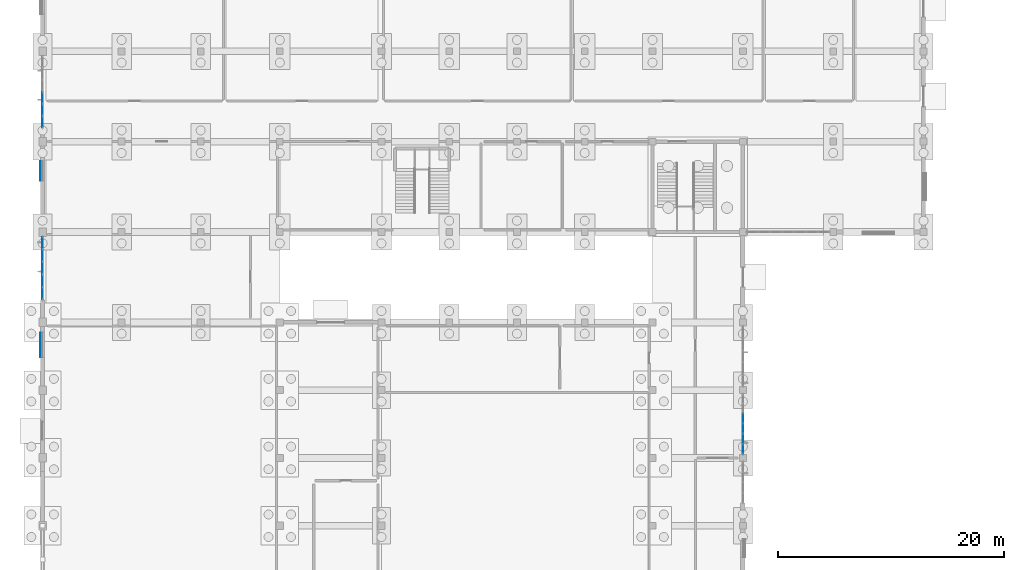
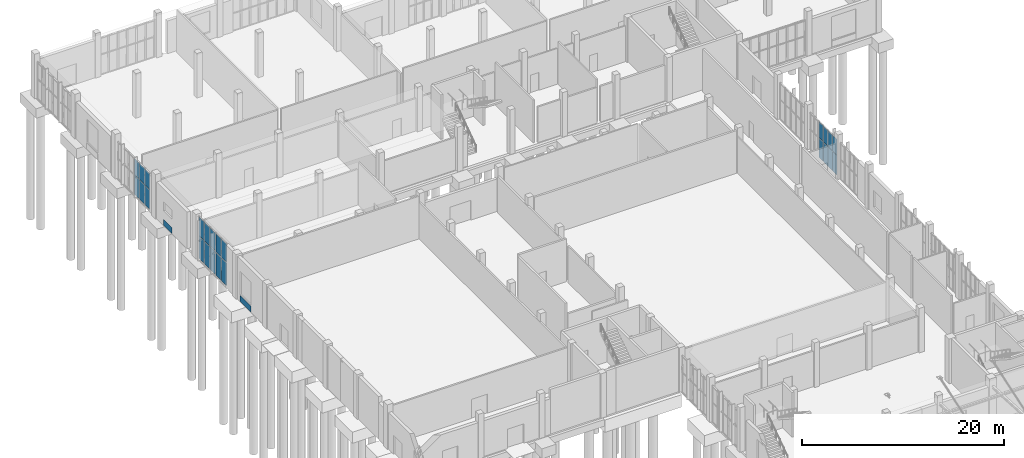
# One storey, part 35 of 69: 26 plates, 3 elements without a shape of their own.
"""IFC4 building model written with IfcOpenShell, lengths in metres."""

from ifc_helpers import new_model, si_unit, direction, frame, origin, origin_2d, place, context, subcontext, project, spatial, rectangle, extrude, material, layer, layer_set, type_object, element, aggregate, save


model = new_model("IFC4")

# Units and contexts
model_context = context("Model", 3, precision=1e-05, world=origin(), true_north=direction((0.0, 1.0)))
body_context = subcontext(model_context, "Body", "Model", "MODEL_VIEW")
ifc_project = project(units=[si_unit("LENGTHUNIT", "METRE"), si_unit("AREAUNIT", "SQUARE_METRE"), si_unit("VOLUMEUNIT", "CUBIC_METRE"), si_unit("PLANEANGLEUNIT", "RADIAN"), si_unit("MASSUNIT", "GRAM", prefix="KILO")], contexts=[model_context])

# Site, building, storey
site_placement = place(None, origin())
site = spatial("IfcSite", under=ifc_project, at=site_placement, CompositionType="ELEMENT")
building_placement = place(site_placement, origin())
building = spatial("IfcBuilding", under=site, at=building_placement, Name="Solvane Community Centre", CompositionType="ELEMENT")
storey_placement = place(building_placement, origin())
storey = spatial("IfcBuildingStorey", under=building, at=storey_placement, Name="L00", CompositionType="ELEMENT", Elevation=0.0)

# Plates
ifc_material_1 = material(Name="Anodised bronze aluminium AW-6063 T6", Category="aluminium")
ifc_layer_1 = layer(ifc_material_1, 0.02392578125)
ifc_layer_set_1 = layer_set([ifc_layer_1], Name="Anodised bronze aluminium AW-6063 T6")
plate_type_1 = type_object("IfcPlateType", Name="Bronze Spandrel Cassette 24mm", PredefinedType="SHEET", material=ifc_layer_set_1)
plate_1_placement = place(storey_placement, frame((5.798095703125, 76.0, 0.06005859375), z_axis=(0.0, 0.0, 1.0), x_axis=(0.0, 1.0, 0.0)))
element("IfcPlate", 1, at=plate_1_placement, inside=storey, type_object=plate_type_1, Name="Art Deco Spandrel SPC-L00-005", PredefinedType="SHEET", context=body_context, shape_type="SweptSolid", body=[
    extrude(rectangle(XDim=2.199951171875, YDim=0.02392578125, at=origin_2d()), origin(), (0.0, 0.0, 1.0), 0.719970703125),
])
plate_2_placement = place(storey_placement, frame((5.798095703125, 91.39990234375, 0.06005859375), z_axis=(0.0, 0.0, 1.0), x_axis=(0.0, 1.0, 0.0)))
element("IfcPlate", 2, at=plate_2_placement, inside=storey, type_object=plate_type_1, Name="Art Deco Spandrel SPC-L00-006", PredefinedType="SHEET", context=body_context, shape_type="SweptSolid", body=[
    extrude(rectangle(XDim=1.699951171875, YDim=0.02392578125, at=origin_2d()), origin(), (0.0, 0.0, 1.0), 0.719970703125),
])

# Curtain wall, plates
ifc_layer_2 = layer(ifc_material_1, 0.18994140625)
ifc_layer_set_2 = layer_set([ifc_layer_2], Name="Anodised bronze aluminium AW-6063 T6")
curtain_wall_type_1 = type_object("IfcCurtainWallType", Name="Boulevard Bronze Vision Curtain Wall [37x44dm]", PredefinedType="NOTDEFINED", material=ifc_layer_set_2)
curtain_wall_1_placement = place(storey_placement, origin())
curtain_wall_1 = element("IfcCurtainWall", 3, at=curtain_wall_1_placement, inside=storey, type_object=curtain_wall_type_1, Name="Curtain Wall CW-L00-680_700-017", PredefinedType="NOTDEFINED")
ifc_material_2 = material(Name="Tempered low-E double glazing", Category="glass")
ifc_layer_3 = layer(ifc_material_2, 0.028076171875)
ifc_layer_set_3 = layer_set([ifc_layer_3], Name="Tempered low-E double glazing")
plate_type_2 = type_object("IfcPlateType", Name="Low-E Vision Glazing Panel 28mm [37x44dm]", PredefinedType="CURTAIN_PANEL", material=ifc_layer_set_3)
plate_3_placement = place(storey_placement, frame((68.0, 69.52490234375, 0.06005859375), z_axis=(0.0, 0.0, 1.0), x_axis=(0.0, -1.0, 0.0)))
plate_3 = element("IfcPlate", 4, at=plate_3_placement, type_object=plate_type_2, Name="CW02-37x44 panel 1.1", PredefinedType="CURTAIN_PANEL", context=body_context, shape_type="SweptSolid", body=[
    extrude(rectangle(XDim=0.830078125, YDim=0.028076171875, at=origin_2d()), origin(), (0.0, 0.0, 1.0), 2.343994140625),
])
plate_4_placement = place(storey_placement, frame((68.0, 69.52490234375, 2.464111328125), z_axis=(0.0, 0.0, 1.0), x_axis=(0.0, -1.0, 0.0)))
plate_4 = element("IfcPlate", 5, at=plate_4_placement, type_object=plate_type_2, Name="CW02-37x44 panel 1.2", PredefinedType="CURTAIN_PANEL", context=body_context, shape_type="SweptSolid", body=[
    extrude(rectangle(XDim=0.830078125, YDim=0.028076171875, at=origin_2d()), origin(), (0.0, 0.0, 1.0), 1.90087890625),
])
plate_5_placement = place(storey_placement, frame((68.0, 68.6201171875, 0.06005859375), z_axis=(0.0, 0.0, 1.0), x_axis=(0.0, -1.0, 0.0)))
plate_5 = element("IfcPlate", 6, at=plate_5_placement, type_object=plate_type_2, Name="CW02-37x44 panel 2.1", PredefinedType="CURTAIN_PANEL", context=body_context, shape_type="SweptSolid", body=[
    extrude(rectangle(XDim=0.860107421875, YDim=0.028076171875, at=origin_2d()), origin(), (0.0, 0.0, 1.0), 2.343994140625),
])
plate_6_placement = place(storey_placement, frame((68.0, 68.6201171875, 2.464111328125), z_axis=(0.0, 0.0, 1.0), x_axis=(0.0, -1.0, 0.0)))
plate_6 = element("IfcPlate", 7, at=plate_6_placement, type_object=plate_type_2, Name="CW02-37x44 panel 2.2", PredefinedType="CURTAIN_PANEL", context=body_context, shape_type="SweptSolid", body=[
    extrude(rectangle(XDim=0.860107421875, YDim=0.028076171875, at=origin_2d()), origin(), (0.0, 0.0, 1.0), 1.90087890625),
])
plate_7_placement = place(storey_placement, frame((68.0, 67.699951171875, 0.06005859375), z_axis=(0.0, 0.0, 1.0), x_axis=(0.0, -1.0, 0.0)))
plate_7 = element("IfcPlate", 8, at=plate_7_placement, type_object=plate_type_2, Name="CW02-37x44 panel 3.1", PredefinedType="CURTAIN_PANEL", context=body_context, shape_type="SweptSolid", body=[
    extrude(rectangle(XDim=0.860107421875, YDim=0.028076171875, at=origin_2d()), origin(), (0.0, 0.0, 1.0), 2.343994140625),
])
plate_8_placement = place(storey_placement, frame((68.0, 67.699951171875, 2.464111328125), z_axis=(0.0, 0.0, 1.0), x_axis=(0.0, -1.0, 0.0)))
plate_8 = element("IfcPlate", 9, at=plate_8_placement, type_object=plate_type_2, Name="CW02-37x44 panel 3.2", PredefinedType="CURTAIN_PANEL", context=body_context, shape_type="SweptSolid", body=[
    extrude(rectangle(XDim=0.860107421875, YDim=0.028076171875, at=origin_2d()), origin(), (0.0, 0.0, 1.0), 1.90087890625),
])
plate_9_placement = place(storey_placement, frame((68.0, 66.794921875, 0.06005859375), z_axis=(0.0, 0.0, 1.0), x_axis=(0.0, -1.0, 0.0)))
plate_9 = element("IfcPlate", 10, at=plate_9_placement, type_object=plate_type_2, Name="CW02-37x44 panel 4.1", PredefinedType="CURTAIN_PANEL", context=body_context, shape_type="SweptSolid", body=[
    extrude(rectangle(XDim=0.830078125, YDim=0.028076171875, at=origin_2d()), origin(), (0.0, 0.0, 1.0), 2.343994140625),
])
plate_10_placement = place(storey_placement, frame((68.0, 66.794921875, 2.464111328125), z_axis=(0.0, 0.0, 1.0), x_axis=(0.0, -1.0, 0.0)))
plate_10 = element("IfcPlate", 11, at=plate_10_placement, type_object=plate_type_2, Name="CW02-37x44 panel 4.2", PredefinedType="CURTAIN_PANEL", context=body_context, shape_type="SweptSolid", body=[
    extrude(rectangle(XDim=0.830078125, YDim=0.028076171875, at=origin_2d()), origin(), (0.0, 0.0, 1.0), 1.90087890625),
])
aggregate(curtain_wall_1, [plate_3, plate_4, plate_5, plate_6, plate_7, plate_8, plate_9, plate_10])

ifc_layer_4 = layer(ifc_material_1, 0.18994140625)
ifc_layer_set_4 = layer_set([ifc_layer_4], Name="Anodised bronze aluminium AW-6063 T6")
curtain_wall_type_2 = type_object("IfcCurtainWallType", Name="Boulevard Bronze Vision Curtain Wall [56x52dm]", PredefinedType="NOTDEFINED", material=ifc_layer_set_4)
curtain_wall_2_placement = place(storey_placement, origin())
curtain_wall_2 = element("IfcCurtainWall", 12, at=curtain_wall_2_placement, inside=storey, type_object=curtain_wall_type_2, Name="Curtain Wall CW-L00-60_800-005", PredefinedType="NOTDEFINED")
ifc_layer_5 = layer(ifc_material_2, 0.028076171875)
ifc_layer_set_5 = layer_set([ifc_layer_5], Name="Tempered low-E double glazing")
plate_type_3 = type_object("IfcPlateType", Name="Low-E Vision Glazing Panel 28mm [56x52dm]", PredefinedType="CURTAIN_PANEL", material=ifc_layer_set_5)
plate_11_placement = place(storey_placement, frame((6.0, 80.575927734375, 0.06005859375), z_axis=(0.0, 0.0, 1.0), x_axis=(0.0, 1.0, 0.0)))
plate_11 = element("IfcPlate", 13, at=plate_11_placement, type_object=plate_type_3, Name="CW02-56x52 panel 1.1", PredefinedType="CURTAIN_PANEL", context=body_context, shape_type="SweptSolid", body=[
    extrude(rectangle(XDim=1.031982421875, YDim=0.028076171875, at=origin_2d()), origin(), (0.0, 0.0, 1.0), 2.748046875),
])
plate_12_placement = place(storey_placement, frame((6.0, 80.575927734375, 2.867919921875), z_axis=(0.0, 0.0, 1.0), x_axis=(0.0, 1.0, 0.0)))
plate_12 = element("IfcPlate", 14, at=plate_12_placement, type_object=plate_type_3, Name="CW02-56x52 panel 1.2", PredefinedType="CURTAIN_PANEL", context=body_context, shape_type="SweptSolid", body=[
    extrude(rectangle(XDim=1.031982421875, YDim=0.028076171875, at=origin_2d()), origin(), (0.0, 0.0, 1.0), 2.23193359375),
])
plate_13_placement = place(storey_placement, frame((6.0, 81.68310546875, 0.06005859375), z_axis=(0.0, 0.0, 1.0), x_axis=(0.0, 1.0, 0.0)))
plate_13 = element("IfcPlate", 15, at=plate_13_placement, type_object=plate_type_3, Name="CW02-56x52 panel 2.1", PredefinedType="CURTAIN_PANEL", context=body_context, shape_type="SweptSolid", body=[
    extrude(rectangle(XDim=1.06201171875, YDim=0.028076171875, at=origin_2d()), origin(), (0.0, 0.0, 1.0), 2.748046875),
])
plate_14_placement = place(storey_placement, frame((6.0, 81.68310546875, 2.867919921875), z_axis=(0.0, 0.0, 1.0), x_axis=(0.0, 1.0, 0.0)))
plate_14 = element("IfcPlate", 16, at=plate_14_placement, type_object=plate_type_3, Name="CW02-56x52 panel 2.2", PredefinedType="CURTAIN_PANEL", context=body_context, shape_type="SweptSolid", body=[
    extrude(rectangle(XDim=1.06201171875, YDim=0.028076171875, at=origin_2d()), origin(), (0.0, 0.0, 1.0), 2.23193359375),
])
plate_15_placement = place(storey_placement, frame((6.0, 82.804931640625, 0.06005859375), z_axis=(0.0, 0.0, 1.0), x_axis=(0.0, 1.0, 0.0)))
plate_15 = element("IfcPlate", 17, at=plate_15_placement, type_object=plate_type_3, Name="CW02-56x52 panel 3.1", PredefinedType="CURTAIN_PANEL", context=body_context, shape_type="SweptSolid", body=[
    extrude(rectangle(XDim=1.06201171875, YDim=0.028076171875, at=origin_2d()), origin(), (0.0, 0.0, 1.0), 2.748046875),
])
plate_16_placement = place(storey_placement, frame((6.0, 82.804931640625, 2.867919921875), z_axis=(0.0, 0.0, 1.0), x_axis=(0.0, 1.0, 0.0)))
plate_16 = element("IfcPlate", 18, at=plate_16_placement, type_object=plate_type_3, Name="CW02-56x52 panel 3.2", PredefinedType="CURTAIN_PANEL", context=body_context, shape_type="SweptSolid", body=[
    extrude(rectangle(XDim=1.06201171875, YDim=0.028076171875, at=origin_2d()), origin(), (0.0, 0.0, 1.0), 2.23193359375),
])
plate_17_placement = place(storey_placement, frame((6.0, 83.927001953125, 0.06005859375), z_axis=(0.0, 0.0, 1.0), x_axis=(0.0, 1.0, 0.0)))
plate_17 = element("IfcPlate", 19, at=plate_17_placement, type_object=plate_type_3, Name="CW02-56x52 panel 4.1", PredefinedType="CURTAIN_PANEL", context=body_context, shape_type="SweptSolid", body=[
    extrude(rectangle(XDim=1.06201171875, YDim=0.028076171875, at=origin_2d()), origin(), (0.0, 0.0, 1.0), 2.748046875),
])
plate_18_placement = place(storey_placement, frame((6.0, 83.927001953125, 2.867919921875), z_axis=(0.0, 0.0, 1.0), x_axis=(0.0, 1.0, 0.0)))
plate_18 = element("IfcPlate", 20, at=plate_18_placement, type_object=plate_type_3, Name="CW02-56x52 panel 4.2", PredefinedType="CURTAIN_PANEL", context=body_context, shape_type="SweptSolid", body=[
    extrude(rectangle(XDim=1.06201171875, YDim=0.028076171875, at=origin_2d()), origin(), (0.0, 0.0, 1.0), 2.23193359375),
])
plate_19_placement = place(storey_placement, frame((6.0, 85.033935546875, 0.06005859375), z_axis=(0.0, 0.0, 1.0), x_axis=(0.0, 1.0, 0.0)))
plate_19 = element("IfcPlate", 21, at=plate_19_placement, type_object=plate_type_3, Name="CW02-56x52 panel 5.1", PredefinedType="CURTAIN_PANEL", context=body_context, shape_type="SweptSolid", body=[
    extrude(rectangle(XDim=1.031982421875, YDim=0.028076171875, at=origin_2d()), origin(), (0.0, 0.0, 1.0), 2.748046875),
])
plate_20_placement = place(storey_placement, frame((6.0, 85.033935546875, 2.867919921875), z_axis=(0.0, 0.0, 1.0), x_axis=(0.0, 1.0, 0.0)))
plate_20 = element("IfcPlate", 22, at=plate_20_placement, type_object=plate_type_3, Name="CW02-56x52 panel 5.2", PredefinedType="CURTAIN_PANEL", context=body_context, shape_type="SweptSolid", body=[
    extrude(rectangle(XDim=1.031982421875, YDim=0.028076171875, at=origin_2d()), origin(), (0.0, 0.0, 1.0), 2.23193359375),
])
aggregate(curtain_wall_2, [plate_11, plate_12, plate_13, plate_14, plate_15, plate_16, plate_17, plate_18, plate_19, plate_20])

ifc_layer_6 = layer(ifc_material_1, 0.18994140625)
ifc_layer_set_6 = layer_set([ifc_layer_6], Name="Anodised bronze aluminium AW-6063 T6")
curtain_wall_type_3 = type_object("IfcCurtainWallType", Name="Boulevard Bronze Vision Curtain Wall [64x44dm]", PredefinedType="NOTDEFINED", material=ifc_layer_set_6)
curtain_wall_3_placement = place(storey_placement, origin())
curtain_wall_3 = element("IfcCurtainWall", 23, at=curtain_wall_3_placement, inside=storey, type_object=curtain_wall_type_3, Name="Curtain Wall CW-L00-60_952-006", PredefinedType="NOTDEFINED")
ifc_layer_7 = layer(ifc_material_2, 0.028076171875)
ifc_layer_set_7 = layer_set([ifc_layer_7], Name="Tempered low-E double glazing")
plate_type_4 = type_object("IfcPlateType", Name="Low-E Vision Glazing Panel 28mm [64x44dm]", PredefinedType="CURTAIN_PANEL", material=ifc_layer_set_7)
plate_21_placement = place(storey_placement, frame((6.0, 95.749267578125, 0.06005859375), z_axis=(0.0, 0.0, 1.0), x_axis=(0.0, 1.0, 0.0)))
plate_21 = element("IfcPlate", 24, at=plate_21_placement, type_object=plate_type_4, Name="CW02-64x44 panel 1.1", PredefinedType="CURTAIN_PANEL", context=body_context, shape_type="SweptSolid", body=[
    extrude(rectangle(XDim=0.978271484375, YDim=0.028076171875, at=origin_2d()), origin(), (0.0, 0.0, 1.0), 2.35498046875),
])
plate_22_placement = place(storey_placement, frame((6.0, 95.749267578125, 2.47509765625), z_axis=(0.0, 0.0, 1.0), x_axis=(0.0, 1.0, 0.0)))
plate_22 = element("IfcPlate", 25, at=plate_22_placement, type_object=plate_type_4, Name="CW02-64x44 panel 1.2", PredefinedType="CURTAIN_PANEL", context=body_context, shape_type="SweptSolid", body=[
    extrude(rectangle(XDim=0.978271484375, YDim=0.028076171875, at=origin_2d()), origin(), (0.0, 0.0, 1.0), 1.909912109375),
])
plate_23_placement = place(storey_placement, frame((6.0, 96.802490234375, 0.06005859375), z_axis=(0.0, 0.0, 1.0), x_axis=(0.0, 1.0, 0.0)))
plate_23 = element("IfcPlate", 26, at=plate_23_placement, type_object=plate_type_4, Name="CW02-64x44 panel 2.1", PredefinedType="CURTAIN_PANEL", context=body_context, shape_type="SweptSolid", body=[
    extrude(rectangle(XDim=1.00830078125, YDim=0.028076171875, at=origin_2d()), origin(), (0.0, 0.0, 1.0), 2.35498046875),
])
plate_24_placement = place(storey_placement, frame((6.0, 96.802490234375, 2.47509765625), z_axis=(0.0, 0.0, 1.0), x_axis=(0.0, 1.0, 0.0)))
plate_24 = element("IfcPlate", 27, at=plate_24_placement, type_object=plate_type_4, Name="CW02-64x44 panel 2.2", PredefinedType="CURTAIN_PANEL", context=body_context, shape_type="SweptSolid", body=[
    extrude(rectangle(XDim=1.00830078125, YDim=0.028076171875, at=origin_2d()), origin(), (0.0, 0.0, 1.0), 1.909912109375),
])
plate_25_placement = place(storey_placement, frame((6.0, 97.870849609375, 0.06005859375), z_axis=(0.0, 0.0, 1.0), x_axis=(0.0, 1.0, 0.0)))
plate_25 = element("IfcPlate", 28, at=plate_25_placement, type_object=plate_type_4, Name="CW02-64x44 panel 3.1", PredefinedType="CURTAIN_PANEL", context=body_context, shape_type="SweptSolid", body=[
    extrude(rectangle(XDim=1.00830078125, YDim=0.028076171875, at=origin_2d()), origin(), (0.0, 0.0, 1.0), 2.35498046875),
])
plate_26_placement = place(storey_placement, frame((6.0, 97.870849609375, 2.47509765625), z_axis=(0.0, 0.0, 1.0), x_axis=(0.0, 1.0, 0.0)))
plate_26 = element("IfcPlate", 29, at=plate_26_placement, type_object=plate_type_4, Name="CW02-64x44 panel 3.2", PredefinedType="CURTAIN_PANEL", context=body_context, shape_type="SweptSolid", body=[
    extrude(rectangle(XDim=1.00830078125, YDim=0.028076171875, at=origin_2d()), origin(), (0.0, 0.0, 1.0), 1.909912109375),
])
aggregate(curtain_wall_3, [plate_21, plate_22, plate_23, plate_24, plate_25, plate_26])

save(model, "model.ifc")
